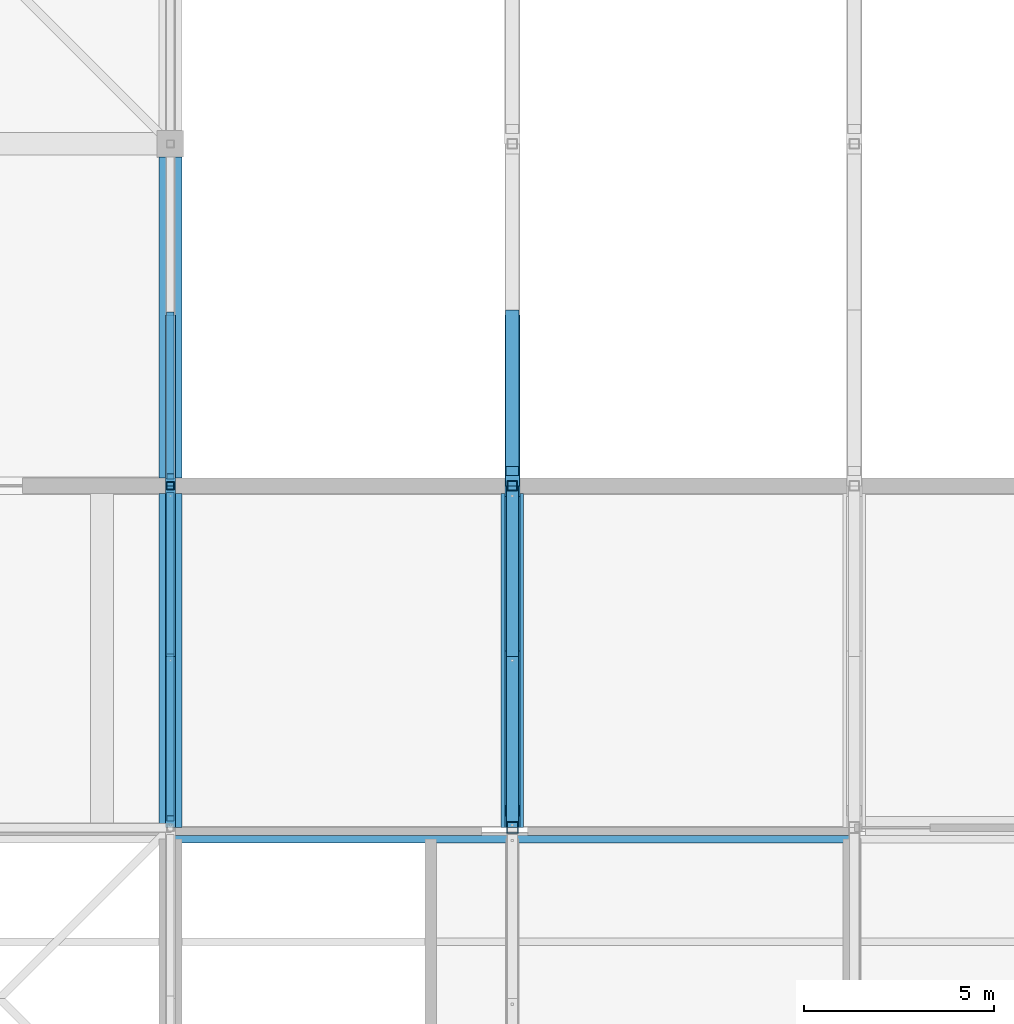
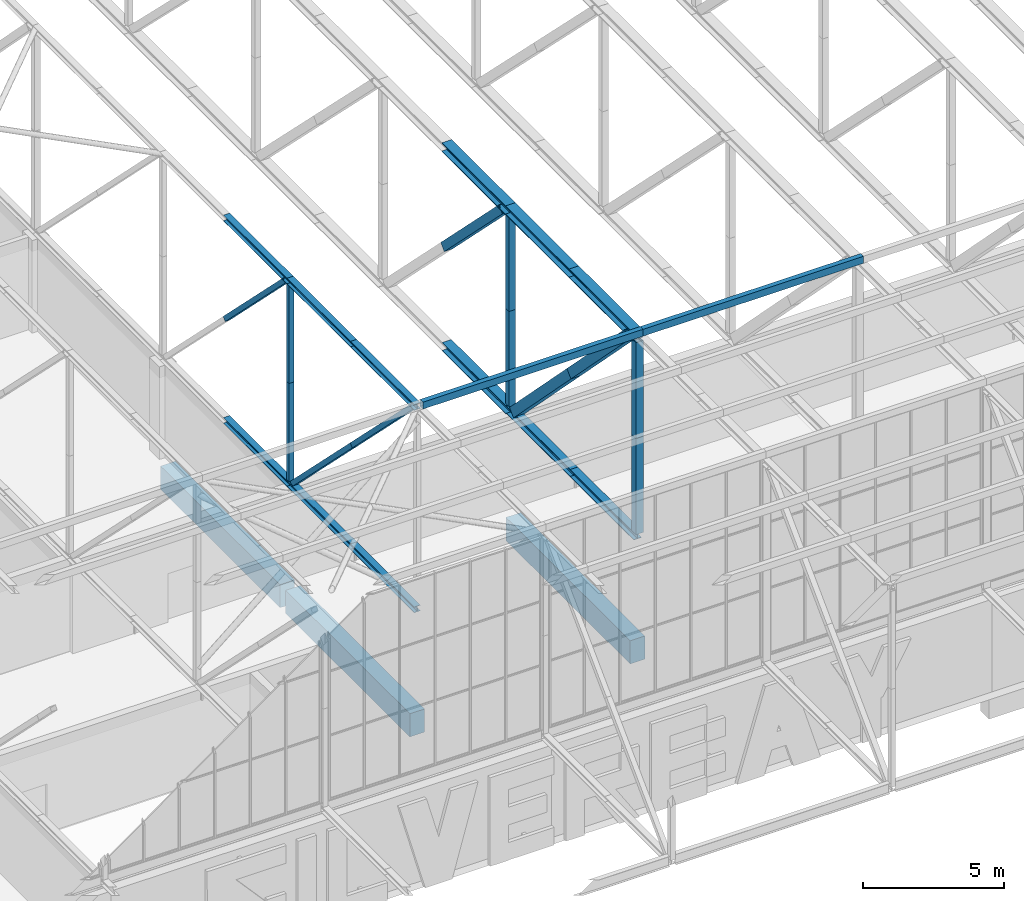
# One storey, part 21 of 646: 26 members, 3 beams.
"""IFC4 building model written with IfcOpenShell, lengths in metres."""

from ifc_helpers import new_model, si_unit, direction, frame, origin, origin_2d, place, context, subcontext, project, spatial, rectangle, hollow_rectangle, i_section, extrude, material, material_profile, profile_set, type_object, element, save


model = new_model("IFC4")

# Units and contexts
model_context = context("Model", 3, precision=1e-05, world=origin(), true_north=direction((0.0, 1.0)))
body_context = subcontext(model_context, "Body", "Model", "MODEL_VIEW")
ifc_project = project(units=[si_unit("LENGTHUNIT", "METRE"), si_unit("AREAUNIT", "SQUARE_METRE"), si_unit("VOLUMEUNIT", "CUBIC_METRE"), si_unit("PLANEANGLEUNIT", "RADIAN"), si_unit("MASSUNIT", "GRAM", prefix="KILO")], contexts=[model_context])

# Site, building, storey
site_placement = place(None, origin())
site = spatial("IfcSite", under=ifc_project, at=site_placement, CompositionType="ELEMENT")
building_placement = place(site_placement, origin())
building = spatial("IfcBuilding", under=site, at=building_placement, Name="Silverbay Arena", CompositionType="ELEMENT")
storey_placement = place(building_placement, frame((0.0, 0.0, 33.5)))
storey = spatial("IfcBuildingStorey", under=building, at=storey_placement, Name="L05", CompositionType="ELEMENT", Elevation=33.5)

# Members
ifc_material_1 = material(Name="Steel S355", Category="steel")
ifc_material_profile_1 = material_profile(ifc_material_1, i_section(OverallWidth=0.311279296875, OverallDepth=0.3271484375, WebThickness=0.015869140625, FlangeThickness=0.02490234375, at=origin_2d()), Name="UC 305x305x158")
ifc_profile_set_1 = profile_set([ifc_material_profile_1], Name="Steel S355")
member_type_1 = type_object("IfcMemberType", Name="Main-span bottom chord UC 305x305x158", PredefinedType="CHORD", material=ifc_profile_set_1)
for number, where, z_axis, x_axis, name in (
    (1, (108.0, 27.0, 4.16357421875), (0.0, 1.0, 0.0), (-1.0, 0.0, 0.0), "ROOF TRUSS 13 bottom chord 03a"),
    (2, (108.0, 31.5, 4.16357421875), (0.0, 1.0, 0.0), (-1.0, 0.0, 0.0), "ROOF TRUSS 13 bottom chord 03b"),
):
    element("IfcMember", number, at=place(storey_placement, frame(where, z_axis=z_axis, x_axis=x_axis)), inside=storey, type_object=member_type_1, Name=name, PredefinedType="CHORD", context=body_context, shape_type="SweptSolid", body=[
        extrude(i_section(OverallWidth=0.311279296875, OverallDepth=0.3271484375, WebThickness=0.015869140625, FlangeThickness=0.02490234375, at=origin_2d()), origin(), (0.0, 0.0, 1.0), 4.5),
    ])
ifc_material_2 = material(Name="Steel S355", Category="steel")
ifc_material_profile_2 = material_profile(ifc_material_2, i_section(OverallWidth=0.37255859375, OverallDepth=0.3681640625, WebThickness=0.014404296875, FlangeThickness=0.023681640625, at=origin_2d()), Name="UC 356x368x177")
ifc_profile_set_2 = profile_set([ifc_material_profile_2], Name="Steel S355")
member_type_2 = type_object("IfcMemberType", Name="Main-span bottom chord UC 356x368x177", PredefinedType="CHORD", material=ifc_profile_set_2)
member_1_placement = place(storey_placement, frame((108.0, 36.0, 4.18408203125), z_axis=(0.0, 1.0, 0.0), x_axis=(-1.0, 0.0, 0.0)))
element("IfcMember", 3, at=member_1_placement, inside=storey, type_object=member_type_2, Name="ROOF TRUSS 13 bottom chord 04a", PredefinedType="CHORD", context=body_context, shape_type="SweptSolid", body=[
    extrude(i_section(OverallWidth=0.37255859375, OverallDepth=0.3681640625, WebThickness=0.014404296875, FlangeThickness=0.023681640625, at=origin_2d()), origin(), (0.0, 0.0, 1.0), 4.5),
])
ifc_material_3 = material(Name="Steel S355", Category="steel")
ifc_material_profile_3 = material_profile(ifc_material_3, i_section(OverallWidth=0.394775390625, OverallDepth=0.381103515625, WebThickness=0.018310546875, FlangeThickness=0.0302734375, at=origin_2d()), Name="UC 356x406x235")
ifc_profile_set_3 = profile_set([ifc_material_profile_3], Name="Steel S355")
member_type_3 = type_object("IfcMemberType", Name="Main-span top chord UC 356x406x235", PredefinedType="CHORD", material=ifc_profile_set_3)
for number, where, z_axis, x_axis, name in (
    (4, (108.0, 27.0, 12.8095703125), (0.0, 1.0, 0.0), (-1.0, 0.0, 0.0), "ROOF TRUSS 13 top chord 03a"),
    (5, (108.0, 31.5, 12.8095703125), (0.0, 1.0, 0.0), (-1.0, 0.0, 0.0), "ROOF TRUSS 13 top chord 03b"),
):
    element("IfcMember", number, at=place(storey_placement, frame(where, z_axis=z_axis, x_axis=x_axis)), inside=storey, type_object=member_type_3, Name=name, PredefinedType="CHORD", context=body_context, shape_type="SweptSolid", body=[
        extrude(i_section(OverallWidth=0.394775390625, OverallDepth=0.381103515625, WebThickness=0.018310546875, FlangeThickness=0.0302734375, at=origin_2d()), origin(), (0.0, 0.0, 1.0), 4.5),
    ])
ifc_material_4 = material(Name="Steel S355", Category="steel")
ifc_material_profile_4 = material_profile(ifc_material_4, i_section(OverallWidth=0.39892578125, OverallDepth=0.3935546875, WebThickness=0.022705078125, FlangeThickness=0.03662109375, at=origin_2d()), Name="UC 356x406x287")
ifc_profile_set_4 = profile_set([ifc_material_profile_4], Name="Steel S355")
member_type_4 = type_object("IfcMemberType", Name="Main-span top chord UC 356x406x287", PredefinedType="CHORD", material=ifc_profile_set_4)
member_2_placement = place(storey_placement, frame((108.0, 36.0, 12.80322265625), z_axis=(0.0, 1.0, 0.0), x_axis=(-1.0, 0.0, 0.0)))
element("IfcMember", 6, at=member_2_placement, inside=storey, type_object=member_type_4, Name="ROOF TRUSS 13 top chord 04a", PredefinedType="CHORD", context=body_context, shape_type="SweptSolid", body=[
    extrude(i_section(OverallWidth=0.39892578125, OverallDepth=0.3935546875, WebThickness=0.022705078125, FlangeThickness=0.03662109375, at=origin_2d()), origin(), (0.0, 0.0, 1.0), 4.5),
])
ifc_material_5 = material(Name="Steel S355", Category="steel")
ifc_material_profile_5 = material_profile(ifc_material_5, hollow_rectangle(XDim=0.35009765625, YDim=0.35009765625, WallThickness=0.01416015625, at=origin_2d()), Name="SHS 350x350x14.2")
ifc_profile_set_5 = profile_set([ifc_material_profile_5], Name="Steel S355")
member_type_5 = type_object("IfcMemberType", Name="Main-span truss diagonal SHS 350x350x14.2", PredefinedType="BRACE", material=ifc_profile_set_5)
member_3_placement = place(storey_placement, frame((108.0, 36.38916015625, 12.6064453125), z_axis=(0.0, 0.706393232016, -0.707819611033), x_axis=(-1.0, 0.0, 0.0)))
element("IfcMember", 7, at=member_3_placement, inside=storey, type_object=member_type_5, Name="ROOF TRUSS 13 diagonal 04a", PredefinedType="BRACE", context=body_context, shape_type="SweptSolid", body=[
    extrude(hollow_rectangle(XDim=0.35009765625, YDim=0.35009765625, WallThickness=0.01416015625, at=origin_2d()), origin(), (0.0, 0.0, 1.0), 5.819580078125),
])
ifc_material_6 = material(Name="Steel S355", Category="steel")
ifc_material_profile_6 = material_profile(ifc_material_6, hollow_rectangle(XDim=0.39990234375, YDim=0.39990234375, WallThickness=0.01416015625, at=origin_2d()), Name="SHS 400x400x14.2")
ifc_profile_set_6 = profile_set([ifc_material_profile_6], Name="Steel S355")
member_type_6 = type_object("IfcMemberType", Name="Main-span truss diagonal SHS 400x400x14.2", PredefinedType="BRACE", material=ifc_profile_set_6)
member_4_placement = place(storey_placement, frame((108.0, 27.445068359375, 12.618896484375), z_axis=(0.0, 0.700113450325, -0.71403162162), x_axis=(-1.0, 0.0, 0.0)))
element("IfcMember", 8, at=member_4_placement, inside=storey, type_object=member_type_6, Name="ROOF TRUSS 13 diagonal 03a", PredefinedType="BRACE", context=body_context, shape_type="SweptSolid", body=[
    extrude(hollow_rectangle(XDim=0.39990234375, YDim=0.39990234375, WallThickness=0.01416015625, at=origin_2d()), origin(), (0.0, 0.0, 1.0), 5.80615234375),
])
member_5_placement = place(storey_placement, frame((108.0, 31.510009765625, 8.47314453125), z_axis=(0.0, 0.700092430298, -0.714052231311), x_axis=(-1.0, 0.0, 0.0)))
element("IfcMember", 9, at=member_5_placement, inside=storey, type_object=member_type_6, Name="ROOF TRUSS 13 diagonal 03b", PredefinedType="BRACE", context=body_context, shape_type="SweptSolid", body=[
    extrude(hollow_rectangle(XDim=0.39990234375, YDim=0.39990234375, WallThickness=0.01416015625, at=origin_2d()), origin(), (0.0, 0.0, 1.0), 5.806396484375),
])
ifc_material_7 = material(Name="Steel S355", Category="steel")
ifc_material_profile_7 = material_profile(ifc_material_7, hollow_rectangle(XDim=0.260009765625, YDim=0.260009765625, WallThickness=0.012451171875, at=origin_2d()), Name="SHS 260x260x12.5")
ifc_profile_set_7 = profile_set([ifc_material_profile_7], Name="Steel S355")
member_type_7 = type_object("IfcMemberType", Name="Main-span truss vertical SHS 260x260x12.5", PredefinedType="STRUT", material=ifc_profile_set_7)
for number, where, z_axis, x_axis, name in (
    (10, (108.0, 36.0, 4.3681640625), (0.0, 0.0, 1.0), (1.0, 0.0, 0.0), "ROOF TRUSS 13 vertical 04a"),
    (11, (108.0, 36.0, 8.4873046875), (0.0, 0.0, 1.0), (1.0, 0.0, 0.0), "ROOF TRUSS 13 vertical 04b"),
):
    element("IfcMember", number, at=place(storey_placement, frame(where, z_axis=z_axis, x_axis=x_axis)), inside=storey, type_object=member_type_7, Name=name, PredefinedType="STRUT", context=body_context, shape_type="SweptSolid", body=[
        extrude(hollow_rectangle(XDim=0.260009765625, YDim=0.260009765625, WallThickness=0.012451171875, at=origin_2d()), origin(), (0.0, 0.0, 1.0), 4.119140625),
    ])
ifc_material_8 = material(Name="Steel S355", Category="steel")
ifc_material_profile_8 = material_profile(ifc_material_8, hollow_rectangle(XDim=0.300048828125, YDim=0.300048828125, WallThickness=0.012451171875, at=origin_2d()), Name="SHS 300x300x12.5")
ifc_profile_set_8 = profile_set([ifc_material_profile_8], Name="Steel S355")
member_type_8 = type_object("IfcMemberType", Name="Main-span truss vertical SHS 300x300x12.5", PredefinedType="STRUT", material=ifc_profile_set_8)
member_6_placement = place(storey_placement, frame((108.0, 27.0, 4.3271484375), z_axis=(0.0, 0.0, 1.0), x_axis=(1.0, 0.0, 0.0)))
element("IfcMember", 12, at=member_6_placement, inside=storey, type_object=member_type_8, Name="ROOF TRUSS 13 vertical 03a", PredefinedType="STRUT", context=body_context, shape_type="SweptSolid", body=[
    extrude(hollow_rectangle(XDim=0.300048828125, YDim=0.300048828125, WallThickness=0.012451171875, at=origin_2d()), origin(), (0.0, 0.0, 1.0), 4.14599609375),
])
member_7_placement = place(storey_placement, frame((108.0, 27.0, 8.47314453125), z_axis=(0.0, 0.0, 1.0), x_axis=(1.0, 0.0, 0.0)))
element("IfcMember", 13, at=member_7_placement, inside=storey, type_object=member_type_8, Name="ROOF TRUSS 13 vertical 03b", PredefinedType="STRUT", context=body_context, shape_type="SweptSolid", body=[
    extrude(hollow_rectangle(XDim=0.300048828125, YDim=0.300048828125, WallThickness=0.012451171875, at=origin_2d()), origin(), (0.0, 0.0, 1.0), 4.145751953125),
])
ifc_material_9 = material(Name="Steel S355", Category="steel")
ifc_material_profile_9 = material_profile(ifc_material_9, i_section(OverallWidth=0.254638671875, OverallDepth=0.254150390625, WebThickness=0.008544921875, FlangeThickness=0.01416015625, at=origin_2d()), Name="UC 254x254x73")
ifc_profile_set_9 = profile_set([ifc_material_profile_9], Name="Steel S355")
member_type_9 = type_object("IfcMemberType", Name="Medium-span bottom chord UC 254x254x73", PredefinedType="CHORD", material=ifc_profile_set_9)
for number, where, z_axis, x_axis, name in (
    (14, (99.0, 27.0, 4.126953125), (0.0, 1.0, 0.0), (-1.0, 0.0, 0.0), "ROOF TRUSS 12 bottom chord 03a"),
    (15, (99.0, 31.5, 4.126953125), (0.0, 1.0, 0.0), (-1.0, 0.0, 0.0), "ROOF TRUSS 12 bottom chord 03b"),
    (16, (99.0, 36.0, 4.126953125), (0.0, 1.0, 0.0), (-1.0, 0.0, 0.0), "ROOF TRUSS 12 bottom chord 04a"),
):
    element("IfcMember", number, at=place(storey_placement, frame(where, z_axis=z_axis, x_axis=x_axis)), inside=storey, type_object=member_type_9, Name=name, PredefinedType="CHORD", context=body_context, shape_type="SweptSolid", body=[
        extrude(i_section(OverallWidth=0.254638671875, OverallDepth=0.254150390625, WebThickness=0.008544921875, FlangeThickness=0.01416015625, at=origin_2d()), origin(), (0.0, 0.0, 1.0), 4.5),
    ])
ifc_material_10 = material(Name="Steel S355", Category="steel")
ifc_material_profile_10 = material_profile(ifc_material_10, i_section(OverallWidth=0.254638671875, OverallDepth=0.254150390625, WebThickness=0.008544921875, FlangeThickness=0.01416015625, at=origin_2d()), Name="UC 254x254x73")
ifc_profile_set_10 = profile_set([ifc_material_profile_10], Name="Steel S355")
member_type_10 = type_object("IfcMemberType", Name="Medium-span top chord UC 254x254x73", PredefinedType="CHORD", material=ifc_profile_set_10)
for number, where, z_axis, x_axis, name in (
    (17, (99.0, 27.0, 12.873046875), (0.0, 1.0, 0.0), (-1.0, 0.0, 0.0), "ROOF TRUSS 12 top chord 03a"),
    (18, (99.0, 31.5, 12.873046875), (0.0, 1.0, 0.0), (-1.0, 0.0, 0.0), "ROOF TRUSS 12 top chord 03b"),
    (19, (99.0, 36.0, 12.873046875), (0.0, 1.0, 0.0), (-1.0, 0.0, 0.0), "ROOF TRUSS 12 top chord 04a"),
):
    element("IfcMember", number, at=place(storey_placement, frame(where, z_axis=z_axis, x_axis=x_axis)), inside=storey, type_object=member_type_10, Name=name, PredefinedType="CHORD", context=body_context, shape_type="SweptSolid", body=[
        extrude(i_section(OverallWidth=0.254638671875, OverallDepth=0.254150390625, WebThickness=0.008544921875, FlangeThickness=0.01416015625, at=origin_2d()), origin(), (0.0, 0.0, 1.0), 4.5),
    ])
ifc_material_11 = material(Name="Steel S355", Category="steel")
ifc_material_profile_11 = material_profile(ifc_material_11, hollow_rectangle(XDim=0.199951171875, YDim=0.199951171875, WallThickness=0.008056640625, at=origin_2d()), Name="SHS 200x200x8")
ifc_profile_set_11 = profile_set([ifc_material_profile_11], Name="Steel S355")
member_type_11 = type_object("IfcMemberType", Name="Medium-span truss diagonal SHS 200x200x8", PredefinedType="BRACE", material=ifc_profile_set_11)
for number, where, z_axis, x_axis, name in (
    (20, (99.0, 27.24560546875, 12.745849609375), (0.0, 0.70781724692, -0.706395600894), (-1.0, 0.0, 0.0), "ROOF TRUSS 12 diagonal 03a"),
    (21, (99.0, 31.5, 8.5), (0.0, 0.70781724692, -0.706395600894), (-1.0, 0.0, 0.0), "ROOF TRUSS 12 diagonal 03b"),
    (22, (99.0, 36.24560546875, 12.745849609375), (0.0, 0.70781724692, -0.706395600894), (-1.0, 0.0, 0.0), "ROOF TRUSS 12 diagonal 04a"),
):
    element("IfcMember", number, at=place(storey_placement, frame(where, z_axis=z_axis, x_axis=x_axis)), inside=storey, type_object=member_type_11, Name=name, PredefinedType="BRACE", context=body_context, shape_type="SweptSolid", body=[
        extrude(hollow_rectangle(XDim=0.199951171875, YDim=0.199951171875, WallThickness=0.008056640625, at=origin_2d()), origin(), (0.0, 0.0, 1.0), 6.010498046875),
    ])
ifc_material_12 = material(Name="Steel S355", Category="steel")
ifc_material_profile_12 = material_profile(ifc_material_12, hollow_rectangle(XDim=0.199951171875, YDim=0.199951171875, WallThickness=0.008056640625, at=origin_2d()), Name="SHS 200x200x8")
ifc_profile_set_12 = profile_set([ifc_material_profile_12], Name="Steel S355")
member_type_12 = type_object("IfcMemberType", Name="Medium-span truss vertical SHS 200x200x8", PredefinedType="STRUT", material=ifc_profile_set_12)
for number, where, z_axis, x_axis, name in (
    (23, (99.0, 36.0, 4.254150390625), (0.0, 0.0, 1.0), (1.0, 0.0, 0.0), "ROOF TRUSS 12 vertical 04a"),
    (24, (99.0, 36.0, 8.5), (0.0, 0.0, 1.0), (1.0, 0.0, 0.0), "ROOF TRUSS 12 vertical 04b"),
):
    element("IfcMember", number, at=place(storey_placement, frame(where, z_axis=z_axis, x_axis=x_axis)), inside=storey, type_object=member_type_12, Name=name, PredefinedType="STRUT", context=body_context, shape_type="SweptSolid", body=[
        extrude(hollow_rectangle(XDim=0.199951171875, YDim=0.199951171875, WallThickness=0.008056640625, at=origin_2d()), origin(), (0.0, 0.0, 1.0), 4.245849609375),
    ])
ifc_material_13 = material(Name="Steel S355", Category="steel")
ifc_material_profile_13 = material_profile(ifc_material_13, hollow_rectangle(XDim=0.199951171875, YDim=0.300048828125, WallThickness=0.00634765625, at=origin_2d()), Name="RHS 300x200x6.3")
ifc_profile_set_13 = profile_set([ifc_material_profile_13], Name="Steel S355")
member_type_13 = type_object("IfcMemberType", Name="Purlin RHS 300x200x6.3", PredefinedType="PURLIN", material=ifc_profile_set_13)
for number, where, z_axis, x_axis, name in (
    (25, (99.0, 26.699951171875, 13.14990234375), (1.0, 0.0, 0.0), (0.0, 1.0, 0.0), "ROOF PURLIN crown rim south 12-13"),
    (26, (108.0, 26.699951171875, 13.14990234375), (1.0, 0.0, 0.0), (0.0, 1.0, 0.0), "ROOF PURLIN crown rim south 13-14"),
):
    element("IfcMember", number, at=place(storey_placement, frame(where, z_axis=z_axis, x_axis=x_axis)), inside=storey, type_object=member_type_13, Name=name, PredefinedType="PURLIN", context=body_context, shape_type="SweptSolid", body=[
        extrude(hollow_rectangle(XDim=0.199951171875, YDim=0.300048828125, WallThickness=0.00634765625, at=origin_2d()), origin(), (0.0, 0.0, 1.0), 9.0),
    ])

# Beams
ifc_material_14 = material(Name="Concrete Grade C45", Category="concrete")
ifc_material_profile_14 = material_profile(ifc_material_14, rectangle(XDim=0.60009765625, YDim=1.0, at=origin_2d()), Name="RC 600x1000")
ifc_profile_set_14 = profile_set([ifc_material_profile_14], Name="Concrete Grade C45")
beam_type = type_object("IfcBeamType", Name="RC beam 600x1000", PredefinedType="BEAM", material=ifc_profile_set_14)
beam_1_placement = place(storey_placement, frame((99.0, 27.0, -0.800048828125), z_axis=(0.0, 1.0, 0.0), x_axis=(-1.0, 0.0, 0.0)))
element("IfcBeam", 27, at=beam_1_placement, inside=storey, type_object=beam_type, Name="Floor beam L05 097", PredefinedType="BEAM", context=body_context, shape_type="SweptSolid", body=[
    extrude(rectangle(XDim=0.60009765625, YDim=1.0, at=origin_2d()), origin(), (0.0, 0.0, 1.0), 8.800048828125),
])
beam_2_placement = place(storey_placement, frame((99.0, 36.199951171875, -0.800048828125), z_axis=(0.0, 1.0, 0.0), x_axis=(-1.0, 0.0, 0.0)))
element("IfcBeam", 28, at=beam_2_placement, inside=storey, type_object=beam_type, Name="Floor beam L05 098", PredefinedType="BEAM", context=body_context, shape_type="SweptSolid", body=[
    extrude(rectangle(XDim=0.60009765625, YDim=1.0, at=origin_2d()), origin(), (0.0, 0.0, 1.0), 8.449951171875),
])
beam_3_placement = place(storey_placement, frame((108.0, 27.0, -0.800048828125), z_axis=(0.0, 1.0, 0.0), x_axis=(-1.0, 0.0, 0.0)))
element("IfcBeam", 29, at=beam_3_placement, inside=storey, type_object=beam_type, Name="Floor beam L05 105", PredefinedType="BEAM", context=body_context, shape_type="SweptSolid", body=[
    extrude(rectangle(XDim=0.60009765625, YDim=1.0, at=origin_2d()), origin(), (0.0, 0.0, 1.0), 8.800048828125),
])

save(model, "model.ifc")
